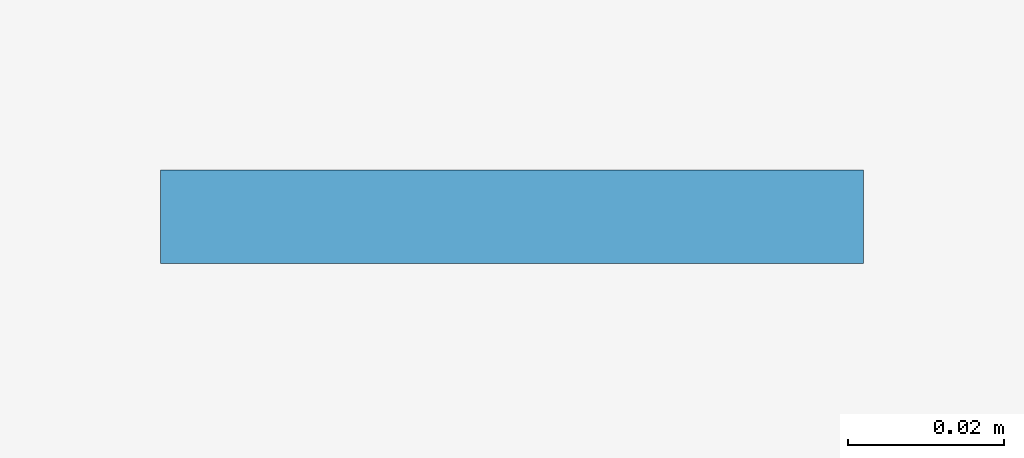
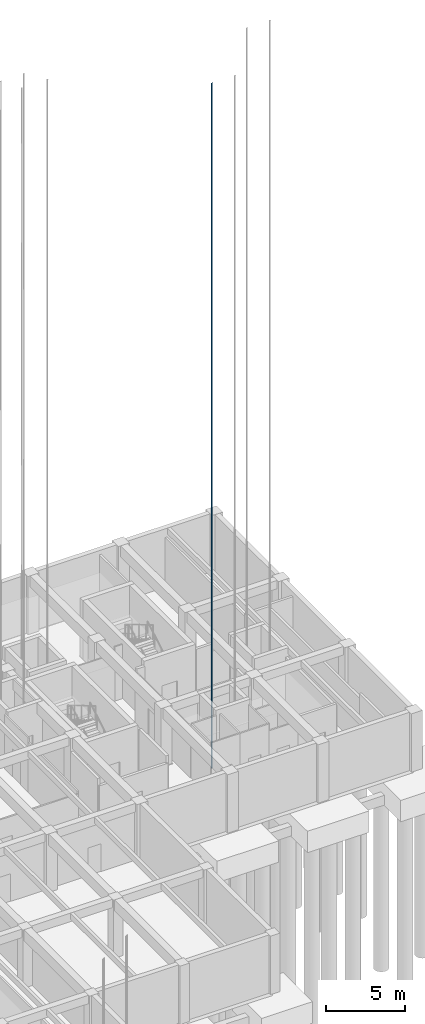
# One storey, part 21 of 44: 1 plate.
"""IFC4 building model written with IfcOpenShell, lengths in metres."""

from ifc_helpers import new_model, si_unit, direction, frame, origin, origin_2d, place, context, subcontext, project, spatial, rectangle, extrude, material, layer, layer_set, type_object, element, save


model = new_model("IFC4")

# Units and contexts
model_context = context("Model", 3, precision=1e-05, world=origin(), true_north=direction((0.0, 1.0)))
body_context = subcontext(model_context, "Body", "Model", "MODEL_VIEW")
ifc_project = project(units=[si_unit("LENGTHUNIT", "METRE"), si_unit("AREAUNIT", "SQUARE_METRE"), si_unit("VOLUMEUNIT", "CUBIC_METRE"), si_unit("PLANEANGLEUNIT", "RADIAN"), si_unit("MASSUNIT", "GRAM", prefix="KILO")], contexts=[model_context])

# Site, building, storey
site_placement = place(None, origin())
site = spatial("IfcSite", under=ifc_project, at=site_placement, CompositionType="ELEMENT")
building_placement = place(site_placement, origin())
building = spatial("IfcBuilding", under=site, at=building_placement, Name="Kolvaren Faculty of Natural Sciences", CompositionType="ELEMENT")
storey_placement = place(building_placement, frame((0.0, 0.0, -4.5)))
storey = spatial("IfcBuildingStorey", under=building, at=storey_placement, Name="B01", CompositionType="ELEMENT", Elevation=-4.5)

# Plate
ifc_material = material(Name="Structural steel EN 10025-2 S355J2", Category="steel")
ifc_layer = layer(ifc_material, 0.011962890625)
ifc_layer_set = layer_set([ifc_layer], Name="Structural steel EN 10025-2 S355J2")
plate_type = type_object("IfcPlateType", Name="LiftGuideRail_T89", PredefinedType="USERDEFINED", material=ifc_layer_set)
plate_placement = place(storey_placement, frame((161.510009765625, 66.300048828125, -0.81982421875), z_axis=(0.0, 0.0, 1.0), x_axis=(1.0, 0.0, 0.0)))
element("IfcPlate", 1, at=plate_placement, inside=storey, type_object=plate_type, Name="Lift PL-1 steel guide rail 1", ObjectType="GUIDE RAIL", PredefinedType="USERDEFINED", context=body_context, shape_type="SweptSolid", body=[
    extrude(rectangle(XDim=0.090087890625, YDim=0.011962890625, at=origin_2d()), origin(), (0.0, 0.0, 1.0), 52.820068359375),
])

save(model, "model.ifc")
